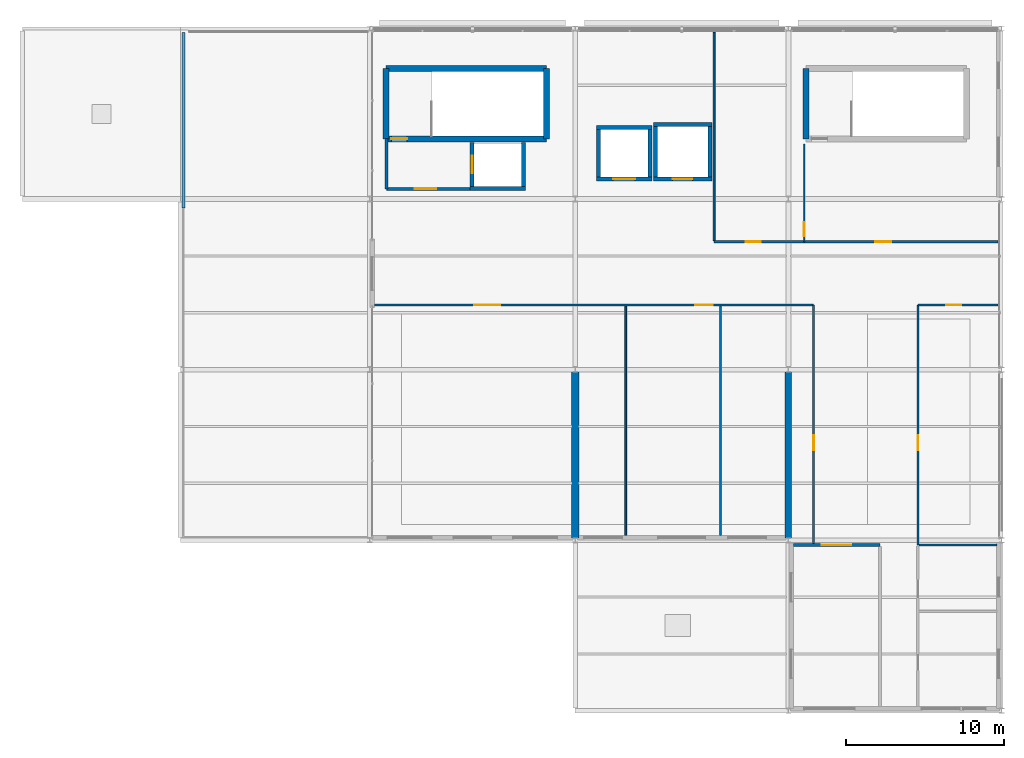
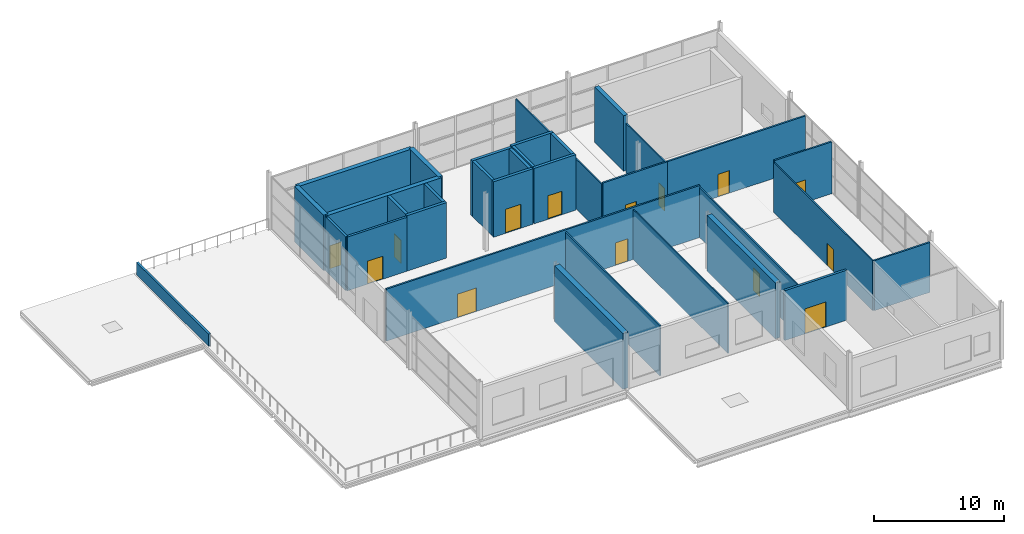
# One storey, part 32 of 34: 33 walls, 14 doors, 14 openings.
"""IFC4 building model written with IfcOpenShell, lengths in metres."""

from ifc_helpers import new_model, si_unit, direction, frame, frame_2d, origin, place, context, subcontext, project, spatial, rectangle, extrude, material, layer, layer_set, type_object, element, fill, save


model = new_model("IFC4")

# Units and contexts
model_context = context("Model", 3, precision=1e-05, world=origin(), true_north=direction((0.0, 1.0)))
body_context = subcontext(model_context, "Body", "Model", "MODEL_VIEW")
ifc_project = project(units=[si_unit("LENGTHUNIT", "METRE"), si_unit("AREAUNIT", "SQUARE_METRE"), si_unit("VOLUMEUNIT", "CUBIC_METRE"), si_unit("PLANEANGLEUNIT", "RADIAN"), si_unit("MASSUNIT", "GRAM", prefix="KILO")], contexts=[model_context])

# Site, building, storey
site_placement = place(None, origin())
site = spatial("IfcSite", under=ifc_project, at=site_placement, CompositionType="ELEMENT")
building_placement = place(site_placement, origin())
building = spatial("IfcBuilding", under=site, at=building_placement, Name="Tamarisk Ironworks Central Station", CompositionType="ELEMENT")
storey_placement = place(building_placement, frame((0.0, 0.0, 25.199951171875)))
storey = spatial("IfcBuildingStorey", under=building, at=storey_placement, Name="L05", CompositionType="ELEMENT", Elevation=25.199951171875)

# Wall, opening, door
ifc_material_1 = material(Name="Concrete C50/60", Category="concrete")
ifc_layer_1 = layer(ifc_material_1, 0.3798828125)
ifc_layer_set_1 = layer_set([ifc_layer_1], Name="Concrete C50/60")
wall_type_1 = type_object("IfcWallType", Name="WL-CW380", PredefinedType="SOLIDWALL", material=ifc_layer_set_1)
wall_1_placement = place(storey_placement, frame((141.014892578125, 115.4150390625, 0.0), z_axis=(0.0, 0.0, 1.0), x_axis=(1.0, 0.0, 0.0)))
wall_1 = element("IfcWall", 1, at=wall_1_placement, inside=storey, type_object=wall_type_1, Name="ST-C1 core wall L (L05)", PredefinedType="SOLIDWALL", context=body_context, shape_type="SweptSolid", body=[
    extrude(rectangle(XDim=10.170166015625, YDim=0.3798828125, at=frame_2d((5.0849609375, 0.0))), origin(), (0.0, 0.0, 1.0), 5.199951171875),
])
opening_1_placement = place(wall_1_placement, frame((0.35009765625, 0.0, 0.0048828125)))
opening_1 = element("IfcOpeningElement", 2, at=opening_1_placement, cuts=wall_1, Name="Opening FD07", PredefinedType="OPENING", context=body_context, shape_type="SweptSolid", body=[
    extrude(rectangle(XDim=1.0, YDim=2.14990234375, at=frame_2d((0.5, 1.074951171875))), frame((0.0, 0.201904296875, 0.0), z_axis=(0.0, -1.0, 0.0), x_axis=(1.0, 0.0, 0.0)), (0.0, 0.0, 1.0), 0.40380859375),
])
ifc_material_2 = material(Name="Galvanised hollow-metal door steel", Category="steel")
door_type_1 = type_object("IfcDoorType", Name="DR-FD07", OperationType="NOTDEFINED", PredefinedType="DOOR", material=ifc_material_2)
door_1_placement = place(opening_1_placement, origin())
door_1 = element("IfcDoor", 3, at=door_1_placement, inside=storey, type_object=door_type_1, Name="ST-C1 fire stair door (L05)", OperationType="SINGLE_SWING_RIGHT", OverallHeight=2.14990234375, OverallWidth=1.0, PredefinedType="DOOR", context=body_context, shape_type="SweptSolid", body=[
    extrude(rectangle(XDim=1.0, YDim=2.14990234375, at=frame_2d((0.5, 1.074951171875))), frame((0.0, 0.02490234375, 0.0), z_axis=(0.0, -1.0, 0.0), x_axis=(1.0, 0.0, 0.0)), (0.0, 0.0, 1.0), 0.050048828125),
])
fill(opening_1, door_1)

# Walls
wall_2_placement = place(storey_placement, frame((141.014892578125, 119.885009765625, 0.0), z_axis=(0.0, 0.0, 1.0), x_axis=(1.0, 0.0, 0.0)))
element("IfcWall", 4, at=wall_2_placement, inside=storey, type_object=wall_type_1, Name="ST-C1 core wall R (L05)", PredefinedType="SOLIDWALL", context=body_context, shape_type="SweptSolid", body=[
    extrude(rectangle(XDim=10.170166015625, YDim=0.3798828125, at=frame_2d((5.0849609375, 0.0))), origin(), (0.0, 0.0, 1.0), 5.199951171875),
])
for number, where, z_axis, x_axis, name in (
    (5, (141.014892578125, 115.4150390625, 0.0), (0.0, 0.0, 1.0), (0.0, 1.0, 0.0), "ST-C1 core wall N (L05)"),
    (6, (151.18505859375, 115.4150390625, 0.0), (0.0, 0.0, 1.0), (0.0, 1.0, 0.0), "ST-C1 core wall F (L05)"),
    (7, (167.614990234375, 115.4150390625, 0.0), (0.0, 0.0, 1.0), (0.0, 1.0, 0.0), "ST-C2 core wall N (L05)"),
):
    element("IfcWall", number, at=place(storey_placement, frame(where, z_axis=z_axis, x_axis=x_axis)), inside=storey, type_object=wall_type_1, Name=name, PredefinedType="SOLIDWALL", context=body_context, shape_type="SweptSolid", body=[
        extrude(rectangle(XDim=4.469970703125, YDim=0.3798828125, at=frame_2d((2.23486328125, 0.0))), origin(), (0.0, 0.0, 1.0), 5.199951171875),
    ])
ifc_material_3 = material(Name="Gypsum plasterboard acoustic partition")
ifc_layer_2 = layer(ifc_material_3, 0.10009765625)
ifc_layer_set_2 = layer_set([ifc_layer_2], Name="Gypsum plasterboard acoustic partition")
wall_type_2 = type_object("IfcWallType", Name="WL-MV100", PredefinedType="MOVABLE", material=ifc_layer_set_2)
wall_3_placement = place(storey_placement, frame((162.199951171875, 90.30810546875, 0.0), z_axis=(0.0, 0.0, 1.0), x_axis=(0.0, 1.0, 0.0)))
element("IfcWall", 8, at=wall_3_placement, inside=storey, type_object=wall_type_2, Name="L05 acoustic operable folding partition 06", PredefinedType="MOVABLE", context=body_context, shape_type="SweptSolid", body=[
    extrude(rectangle(XDim=14.518798828125, YDim=0.10009765625, at=frame_2d((7.25927734375, 0.0))), origin(), (0.0, 0.0, 1.0), 4.679931640625),
])
ifc_material_4 = material(Name="Precast concrete C45/55", Category="concrete")
ifc_layer_3 = layer(ifc_material_4, 0.179931640625)
ifc_layer_set_3 = layer_set([ifc_layer_3], Name="Precast concrete C45/55")
wall_type_3 = type_object("IfcWallType", Name="WL-PA180", PredefinedType="PARAPET", material=ifc_layer_set_3)
wall_4_placement = place(storey_placement, frame((128.199951171875, 111.050048828125, 0.0), z_axis=(0.0, 0.0, 1.0), x_axis=(0.0, 1.0, 0.0)))
element("IfcWall", 9, at=wall_4_placement, inside=storey, type_object=wall_type_3, Name="L05 terrace headhouse-roof divider parapet", PredefinedType="PARAPET", context=body_context, shape_type="SweptSolid", body=[
    extrude(rectangle(XDim=11.099853515625, YDim=0.179931640625, at=frame_2d((5.5498046875, 0.0))), origin(), (0.0, 0.0, 1.0), 1.150146484375),
])

# Wall, opening, door
ifc_material_5 = material(Name="Concrete C40/50", Category="concrete")
ifc_layer_4 = layer(ifc_material_5, 0.2099609375)
ifc_layer_set_4 = layer_set([ifc_layer_4], Name="Concrete C40/50")
wall_type_4 = type_object("IfcWallType", Name="WL-PL200", PredefinedType="PARTITIONING", material=ifc_layer_set_4)
wall_5_placement = place(storey_placement, frame((166.80810546875, 89.699951171875, 0.0), z_axis=(0.0, 0.0, 1.0), x_axis=(1.0, 0.0, 0.0)))
wall_5 = element("IfcWall", 10, at=wall_5_placement, inside=storey, type_object=wall_type_4, Name="L05 interior partition 0133", PredefinedType="PARTITIONING", context=body_context, shape_type="SweptSolid", body=[
    extrude(rectangle(XDim=5.491943359375, YDim=0.2099609375, at=frame_2d((2.74609375, 0.0))), origin(), (0.0, 0.0, 1.0), 4.679931640625),
])
opening_2_placement = place(wall_5_placement, frame((1.80810546875, 0.0, 0.0048828125)))
opening_2 = element("IfcOpeningElement", 11, at=opening_2_placement, cuts=wall_5, Name="Opening PD01", PredefinedType="OPENING", context=body_context, shape_type="SweptSolid", body=[
    extrude(rectangle(XDim=1.85009765625, YDim=2.35009765625, at=frame_2d((0.925048828125, 1.175048828125))), frame((0.0, 0.116943359375, 0.0), z_axis=(0.0, -1.0, 0.0), x_axis=(1.0, 0.0, 0.0)), (0.0, 0.0, 1.0), 0.23388671875),
])
door_type_2 = type_object("IfcDoorType", Name="DR-PL01", OperationType="NOTDEFINED", PredefinedType="DOOR", material=ifc_material_2)
door_2_placement = place(opening_2_placement, origin())
door_2 = element("IfcDoor", 12, at=door_2_placement, inside=storey, type_object=door_type_2, Name="L05 room door 0101", OperationType="DOUBLE_DOOR_SINGLE_SWING", OverallHeight=2.35009765625, OverallWidth=1.85009765625, PredefinedType="DOOR", context=body_context, shape_type="SweptSolid", body=[
    extrude(rectangle(XDim=1.85009765625, YDim=2.35009765625, at=frame_2d((0.925048828125, 1.175048828125))), frame((0.0, 0.02490234375, 0.0), z_axis=(0.0, -1.0, 0.0), x_axis=(1.0, 0.0, 0.0)), (0.0, 0.0, 1.0), 0.050048828125),
])
fill(opening_2, door_2)

# Wall
ifc_layer_5 = layer(ifc_material_3, 0.1201171875)
ifc_layer_set_5 = layer_set([ifc_layer_5], Name="Gypsum plasterboard acoustic partition")
wall_type_5 = type_object("IfcWallType", Name="WL-PT120", PredefinedType="PARTITIONING", material=ifc_layer_set_5)
wall_6_placement = place(storey_placement, frame((156.199951171875, 90.30810546875, 0.0), z_axis=(0.0, 0.0, 1.0), x_axis=(0.0, 1.0, 0.0)))
element("IfcWall", 13, at=wall_6_placement, inside=storey, type_object=wall_type_5, Name="L05 interior partition 0130", PredefinedType="PARTITIONING", context=body_context, shape_type="SweptSolid", body=[
    extrude(rectangle(XDim=14.518798828125, YDim=0.1201171875, at=frame_2d((7.25927734375, 0.0))), origin(), (0.0, 0.0, 1.0), 4.679931640625),
])

# Wall, opening, door
wall_7_placement = place(storey_placement, frame((168.10009765625, 89.699951171875, 0.0), z_axis=(0.0, 0.0, 1.0), x_axis=(0.0, 1.0, 0.0)))
wall_7 = element("IfcWall", 14, at=wall_7_placement, inside=storey, type_object=wall_type_5, Name="L05 interior partition 0131", PredefinedType="PARTITIONING", context=body_context, shape_type="SweptSolid", body=[
    extrude(rectangle(XDim=15.199951171875, YDim=0.1201171875, at=frame_2d((7.60009765625, 0.0))), origin(), (0.0, 0.0, 1.0), 4.679931640625),
])
opening_3_placement = place(wall_7_placement, frame((6.0, 0.0, 0.0048828125)))
opening_3 = element("IfcOpeningElement", 15, at=opening_3_placement, cuts=wall_7, Name="Opening D07", PredefinedType="OPENING", context=body_context, shape_type="SweptSolid", body=[
    extrude(rectangle(XDim=0.949951171875, YDim=2.10009765625, at=frame_2d((0.47509765625, 1.050048828125))), frame((0.0, 0.072021484375, 0.0), z_axis=(0.0, -1.0, 0.0), x_axis=(1.0, 0.0, 0.0)), (0.0, 0.0, 1.0), 0.14404296875),
])
ifc_material_6 = material(Name="FSC certified tropical hardwood timber", Category="wood")
door_type_3 = type_object("IfcDoorType", Name="DR-ID07", OperationType="NOTDEFINED", PredefinedType="DOOR", material=ifc_material_6)
door_3_placement = place(opening_3_placement, origin())
door_3 = element("IfcDoor", 16, at=door_3_placement, inside=storey, type_object=door_type_3, Name="L05 room door 0099", OperationType="SINGLE_SWING_LEFT", OverallHeight=2.10009765625, OverallWidth=0.949951171875, PredefinedType="DOOR", context=body_context, shape_type="SweptSolid", body=[
    extrude(rectangle(XDim=0.949951171875, YDim=2.10009765625, at=frame_2d((0.47509765625, 1.050048828125))), frame((0.0, 0.02490234375, 0.0), z_axis=(0.0, -1.0, 0.0), x_axis=(1.0, 0.0, 0.0)), (0.0, 0.0, 1.0), 0.050048828125),
])
fill(opening_3, door_3)

wall_8_placement = place(storey_placement, frame((174.699951171875, 89.699951171875, 0.0), z_axis=(0.0, 0.0, 1.0), x_axis=(0.0, 1.0, 0.0)))
wall_8 = element("IfcWall", 17, at=wall_8_placement, inside=storey, type_object=wall_type_5, Name="L05 interior partition 0132", PredefinedType="PARTITIONING", context=body_context, shape_type="SweptSolid", body=[
    extrude(rectangle(XDim=15.199951171875, YDim=0.1201171875, at=frame_2d((7.60009765625, 0.0))), origin(), (0.0, 0.0, 1.0), 4.679931640625),
])
opening_4_placement = place(wall_8_placement, frame((6.0, 0.0, 0.0048828125)))
opening_4 = element("IfcOpeningElement", 18, at=opening_4_placement, cuts=wall_8, Name="Opening D07", PredefinedType="OPENING", context=body_context, shape_type="SweptSolid", body=[
    extrude(rectangle(XDim=0.949951171875, YDim=2.10009765625, at=frame_2d((0.47509765625, 1.050048828125))), frame((0.0, 0.072021484375, 0.0), z_axis=(0.0, -1.0, 0.0), x_axis=(1.0, 0.0, 0.0)), (0.0, 0.0, 1.0), 0.14404296875),
])
door_4_placement = place(opening_4_placement, origin())
door_4 = element("IfcDoor", 19, at=door_4_placement, inside=storey, type_object=door_type_3, Name="L05 room door 0100", OperationType="SINGLE_SWING_RIGHT", OverallHeight=2.10009765625, OverallWidth=0.949951171875, PredefinedType="DOOR", context=body_context, shape_type="SweptSolid", body=[
    extrude(rectangle(XDim=0.949951171875, YDim=2.10009765625, at=frame_2d((0.47509765625, 1.050048828125))), frame((0.0, 0.02490234375, 0.0), z_axis=(0.0, -1.0, 0.0), x_axis=(1.0, 0.0, 0.0)), (0.0, 0.0, 1.0), 0.050048828125),
])
fill(opening_4, door_4)

wall_9_placement = place(storey_placement, frame((167.5, 108.89990234375, 0.0), z_axis=(0.0, 0.0, 1.0), x_axis=(0.0, 1.0, 0.0)))
wall_9 = element("IfcWall", 20, at=wall_9_placement, inside=storey, type_object=wall_type_5, Name="L05 interior partition 0140", PredefinedType="PARTITIONING", context=body_context, shape_type="SweptSolid", body=[
    extrude(rectangle(XDim=6.2001953125, YDim=0.1201171875, at=frame_2d((3.10009765625, 0.0))), origin(), (0.0, 0.0, 1.0), 4.679931640625),
])
opening_5_placement = place(wall_9_placement, frame((0.35009765625, 0.0, 0.0048828125)))
opening_5 = element("IfcOpeningElement", 21, at=opening_5_placement, cuts=wall_9, Name="Opening D08", PredefinedType="OPENING", context=body_context, shape_type="SweptSolid", body=[
    extrude(rectangle(XDim=0.89990234375, YDim=2.10009765625, at=frame_2d((0.449951171875, 1.050048828125))), frame((0.0, 0.072021484375, 0.0), z_axis=(0.0, -1.0, 0.0), x_axis=(1.0, 0.0, 0.0)), (0.0, 0.0, 1.0), 0.14404296875),
])
door_type_4 = type_object("IfcDoorType", Name="DR-ID08", OperationType="NOTDEFINED", PredefinedType="DOOR", material=ifc_material_6)
door_5_placement = place(opening_5_placement, origin())
door_5 = element("IfcDoor", 22, at=door_5_placement, inside=storey, type_object=door_type_4, Name="L05 room door 0106", OperationType="SINGLE_SWING_LEFT", OverallHeight=2.10009765625, OverallWidth=0.89990234375, PredefinedType="DOOR", context=body_context, shape_type="SweptSolid", body=[
    extrude(rectangle(XDim=0.89990234375, YDim=2.10009765625, at=frame_2d((0.449951171875, 1.050048828125))), frame((0.0, 0.02490234375, 0.0), z_axis=(0.0, -1.0, 0.0), x_axis=(1.0, 0.0, 0.0)), (0.0, 0.0, 1.0), 0.050048828125),
])
fill(opening_5, door_5)

# Wall
wall_10_placement = place(storey_placement, frame((161.800048828125, 108.972900390625, 0.0), z_axis=(0.0, 0.0, 1.0), x_axis=(0.0, 1.0, 0.0)))
element("IfcWall", 23, at=wall_10_placement, inside=storey, type_object=wall_type_5, Name="L05 interior partition 0141", PredefinedType="PARTITIONING", context=body_context, shape_type="SweptSolid", body=[
    extrude(rectangle(XDim=13.189208984375, YDim=0.1201171875, at=frame_2d((6.5947265625, 0.0))), origin(), (0.0, 0.0, 1.0), 4.679931640625),
])

# Wall, openings, doors
ifc_layer_6 = layer(ifc_material_3, 0.14990234375)
ifc_layer_set_6 = layer_set([ifc_layer_6], Name="Gypsum plasterboard acoustic partition")
wall_type_6 = type_object("IfcWallType", Name="WL-PT150", PredefinedType="PARTITIONING", material=ifc_layer_set_6)
wall_11_placement = place(storey_placement, frame((140.2880859375, 104.89990234375, 0.0), z_axis=(0.0, 0.0, 1.0), x_axis=(1.0, 0.0, 0.0)))
wall_11 = element("IfcWall", 24, at=wall_11_placement, inside=storey, type_object=wall_type_6, Name="L05 interior partition 0128", PredefinedType="PARTITIONING", context=body_context, shape_type="SweptSolid", body=[
    extrude(rectangle(XDim=27.81201171875, YDim=0.14990234375, at=frame_2d((13.906005859375, 0.0))), origin(), (0.0, 0.0, 1.0), 4.8701171875),
])
opening_6_placement = place(wall_11_placement, frame((6.31201171875, 0.0, 0.0048828125)))
opening_6 = element("IfcOpeningElement", 25, at=opening_6_placement, cuts=wall_11, Name="Opening D03", PredefinedType="OPENING", context=body_context, shape_type="SweptSolid", body=[
    extrude(rectangle(XDim=1.64990234375, YDim=2.199951171875, at=frame_2d((0.824951171875, 1.10009765625))), frame((0.0, 0.0869140625, 0.0), z_axis=(0.0, -1.0, 0.0), x_axis=(1.0, 0.0, 0.0)), (0.0, 0.0, 1.0), 0.173828125),
])
opening_7_placement = place(wall_11_placement, frame((20.31201171875, 0.0, 0.0048828125)))
opening_7 = element("IfcOpeningElement", 26, at=opening_7_placement, cuts=wall_11, Name="Opening D05", PredefinedType="OPENING", context=body_context, shape_type="SweptSolid", body=[
    extrude(rectangle(XDim=1.10009765625, YDim=2.10009765625, at=frame_2d((0.550048828125, 1.050048828125))), frame((0.0, 0.0869140625, 0.0), z_axis=(0.0, -1.0, 0.0), x_axis=(1.0, 0.0, 0.0)), (0.0, 0.0, 1.0), 0.173828125),
])
door_type_5 = type_object("IfcDoorType", Name="DR-ID03", OperationType="NOTDEFINED", PredefinedType="DOOR", material=ifc_material_6)
door_6_placement = place(opening_6_placement, origin())
door_6 = element("IfcDoor", 27, at=door_6_placement, inside=storey, type_object=door_type_5, Name="L05 room door 0096", OperationType="DOUBLE_DOOR_SINGLE_SWING", OverallHeight=2.199951171875, OverallWidth=1.64990234375, PredefinedType="DOOR", context=body_context, shape_type="SweptSolid", body=[
    extrude(rectangle(XDim=1.64990234375, YDim=2.199951171875, at=frame_2d((0.824951171875, 1.10009765625))), frame((0.0, 0.02490234375, 0.0), z_axis=(0.0, -1.0, 0.0), x_axis=(1.0, 0.0, 0.0)), (0.0, 0.0, 1.0), 0.050048828125),
])
fill(opening_6, door_6)
door_type_6 = type_object("IfcDoorType", Name="DR-ID05", OperationType="NOTDEFINED", PredefinedType="DOOR", material=ifc_material_6)
door_7_placement = place(opening_7_placement, origin())
door_7 = element("IfcDoor", 28, at=door_7_placement, inside=storey, type_object=door_type_6, Name="L05 room door 0097", OperationType="SINGLE_SWING_RIGHT", OverallHeight=2.10009765625, OverallWidth=1.10009765625, PredefinedType="DOOR", context=body_context, shape_type="SweptSolid", body=[
    extrude(rectangle(XDim=1.10009765625, YDim=2.10009765625, at=frame_2d((0.550048828125, 1.050048828125))), frame((0.0, 0.02490234375, 0.0), z_axis=(0.0, -1.0, 0.0), x_axis=(1.0, 0.0, 0.0)), (0.0, 0.0, 1.0), 0.050048828125),
])
fill(opening_7, door_7)

# Wall, opening, door
wall_12_placement = place(storey_placement, frame((174.699951171875, 104.89990234375, 0.0), z_axis=(0.0, 0.0, 1.0), x_axis=(1.0, 0.0, 0.0)))
wall_12 = element("IfcWall", 29, at=wall_12_placement, inside=storey, type_object=wall_type_6, Name="L05 interior partition 0129", PredefinedType="PARTITIONING", context=body_context, shape_type="SweptSolid", body=[
    extrude(rectangle(XDim=5.06201171875, YDim=0.14990234375, at=frame_2d((2.531005859375, 0.0))), origin(), (0.0, 0.0, 1.0), 4.8701171875),
])
opening_8_placement = place(wall_12_placement, frame((1.800048828125, 0.0, 0.0048828125)))
opening_8 = element("IfcOpeningElement", 30, at=opening_8_placement, cuts=wall_12, Name="Opening D07", PredefinedType="OPENING", context=body_context, shape_type="SweptSolid", body=[
    extrude(rectangle(XDim=0.949951171875, YDim=2.10009765625, at=frame_2d((0.47509765625, 1.050048828125))), frame((0.0, 0.0869140625, 0.0), z_axis=(0.0, -1.0, 0.0), x_axis=(1.0, 0.0, 0.0)), (0.0, 0.0, 1.0), 0.173828125),
])
door_8_placement = place(opening_8_placement, origin())
door_8 = element("IfcDoor", 31, at=door_8_placement, inside=storey, type_object=door_type_3, Name="L05 room door 0098", OperationType="SINGLE_SWING_LEFT", OverallHeight=2.10009765625, OverallWidth=0.949951171875, PredefinedType="DOOR", context=body_context, shape_type="SweptSolid", body=[
    extrude(rectangle(XDim=0.949951171875, YDim=2.10009765625, at=frame_2d((0.47509765625, 1.050048828125))), frame((0.0, 0.02490234375, 0.0), z_axis=(0.0, -1.0, 0.0), x_axis=(1.0, 0.0, 0.0)), (0.0, 0.0, 1.0), 0.050048828125),
])
fill(opening_8, door_8)

# Wall
wall_13_placement = place(storey_placement, frame((174.758056640625, 89.699951171875, 0.0), z_axis=(0.0, 0.0, 1.0), x_axis=(1.0, 0.0, 0.0)))
element("IfcWall", 32, at=wall_13_placement, inside=storey, type_object=wall_type_6, Name="L05 interior partition 0135", PredefinedType="PARTITIONING", context=body_context, shape_type="SweptSolid", body=[
    extrude(rectangle(XDim=4.933837890625, YDim=0.14990234375, at=frame_2d((2.466796875, 0.0))), origin(), (0.0, 0.0, 1.0), 4.679931640625),
])

# Wall, opening, door
wall_14_placement = place(storey_placement, frame((161.800048828125, 108.89990234375, 0.0), z_axis=(0.0, 0.0, 1.0), x_axis=(1.0, 0.0, 0.0)))
wall_14 = element("IfcWall", 33, at=wall_14_placement, inside=storey, type_object=wall_type_6, Name="L05 interior partition 0138", PredefinedType="PARTITIONING", context=body_context, shape_type="SweptSolid", body=[
    extrude(rectangle(XDim=5.699951171875, YDim=0.14990234375, at=frame_2d((2.85009765625, 0.0))), origin(), (0.0, 0.0, 1.0), 4.8701171875),
])
opening_9_placement = place(wall_14_placement, frame((2.0, 0.0, 0.0048828125)))
opening_9 = element("IfcOpeningElement", 34, at=opening_9_placement, cuts=wall_14, Name="Opening D07", PredefinedType="OPENING", context=body_context, shape_type="SweptSolid", body=[
    extrude(rectangle(XDim=0.949951171875, YDim=2.10009765625, at=frame_2d((0.47509765625, 1.050048828125))), frame((0.0, 0.0869140625, 0.0), z_axis=(0.0, -1.0, 0.0), x_axis=(1.0, 0.0, 0.0)), (0.0, 0.0, 1.0), 0.173828125),
])
door_9_placement = place(opening_9_placement, origin())
door_9 = element("IfcDoor", 35, at=door_9_placement, inside=storey, type_object=door_type_3, Name="L05 room door 0104", OperationType="SINGLE_SWING_LEFT", OverallHeight=2.10009765625, OverallWidth=0.949951171875, PredefinedType="DOOR", context=body_context, shape_type="SweptSolid", body=[
    extrude(rectangle(XDim=0.949951171875, YDim=2.10009765625, at=frame_2d((0.47509765625, 1.050048828125))), frame((0.0, 0.02490234375, 0.0), z_axis=(0.0, -1.0, 0.0), x_axis=(1.0, 0.0, 0.0)), (0.0, 0.0, 1.0), 0.050048828125),
])
fill(opening_9, door_9)

wall_15_placement = place(storey_placement, frame((167.5, 108.89990234375, 0.0), z_axis=(0.0, 0.0, 1.0), x_axis=(1.0, 0.0, 0.0)))
wall_15 = element("IfcWall", 36, at=wall_15_placement, inside=storey, type_object=wall_type_6, Name="L05 interior partition 0139", PredefinedType="PARTITIONING", context=body_context, shape_type="SweptSolid", body=[
    extrude(rectangle(XDim=12.261962890625, YDim=0.14990234375, at=frame_2d((6.130859375, 0.0))), origin(), (0.0, 0.0, 1.0), 4.8701171875),
])
opening_10_placement = place(wall_15_placement, frame((4.5, 0.0, 0.0048828125)))
opening_10 = element("IfcOpeningElement", 37, at=opening_10_placement, cuts=wall_15, Name="Opening D06", PredefinedType="OPENING", context=body_context, shape_type="SweptSolid", body=[
    extrude(rectangle(XDim=1.0, YDim=2.10009765625, at=frame_2d((0.5, 1.050048828125))), frame((0.0, 0.0869140625, 0.0), z_axis=(0.0, -1.0, 0.0), x_axis=(1.0, 0.0, 0.0)), (0.0, 0.0, 1.0), 0.173828125),
])
door_type_7 = type_object("IfcDoorType", Name="DR-ID06", OperationType="NOTDEFINED", PredefinedType="DOOR", material=ifc_material_6)
door_10_placement = place(opening_10_placement, origin())
door_10 = element("IfcDoor", 38, at=door_10_placement, inside=storey, type_object=door_type_7, Name="L05 room door 0105", OperationType="SINGLE_SWING_RIGHT", OverallHeight=2.10009765625, OverallWidth=1.0, PredefinedType="DOOR", context=body_context, shape_type="SweptSolid", body=[
    extrude(rectangle(XDim=1.0, YDim=2.10009765625, at=frame_2d((0.5, 1.050048828125))), frame((0.0, 0.02490234375, 0.0), z_axis=(0.0, -1.0, 0.0), x_axis=(1.0, 0.0, 0.0)), (0.0, 0.0, 1.0), 0.050048828125),
])
fill(opening_10, door_10)

ifc_material_7 = material(Name="Clay facing brickwork and mortar", Category="masonry")
ifc_layer_7 = layer(ifc_material_7, 0.199951171875)
ifc_layer_set_7 = layer_set([ifc_layer_7], Name="Clay facing brickwork and mortar")
wall_type_7 = type_object("IfcWallType", Name="WL-PT200", PredefinedType="PARTITIONING", material=ifc_layer_set_7)
wall_16_placement = place(storey_placement, frame((141.050048828125, 112.25, 0.0), z_axis=(0.0, 0.0, 1.0), x_axis=(1.0, 0.0, 0.0)))
wall_16 = element("IfcWall", 39, at=wall_16_placement, inside=storey, type_object=wall_type_7, Name="Firefighting lift lobby south wall (L05)", PredefinedType="PARTITIONING", context=body_context, shape_type="SweptSolid", body=[
    extrude(rectangle(XDim=5.300048828125, YDim=0.199951171875, at=frame_2d((2.64990234375, 0.0))), origin(), (0.0, 0.0, 1.0), 5.050048828125),
])
opening_11_placement = place(wall_16_placement, frame((1.800048828125, 0.0, 0.0048828125)))
opening_11 = element("IfcOpeningElement", 40, at=opening_11_placement, cuts=wall_16, Name="Opening FD05", PredefinedType="OPENING", context=body_context, shape_type="SweptSolid", body=[
    extrude(rectangle(XDim=1.35009765625, YDim=2.14990234375, at=frame_2d((0.675048828125, 1.074951171875))), frame((0.0, 0.11181640625, 0.0), z_axis=(0.0, -1.0, 0.0), x_axis=(1.0, 0.0, 0.0)), (0.0, 0.0, 1.0), 0.223876953125),
])
door_type_8 = type_object("IfcDoorType", Name="DR-FD05", OperationType="NOTDEFINED", PredefinedType="DOOR", material=ifc_material_2)
door_11_placement = place(opening_11_placement, origin())
door_11 = element("IfcDoor", 41, at=door_11_placement, inside=storey, type_object=door_type_8, Name="Firefighting lift lobby fire door (L05)", OperationType="SINGLE_SWING_RIGHT", OverallHeight=2.14990234375, OverallWidth=1.35009765625, PredefinedType="DOOR", context=body_context, shape_type="SweptSolid", body=[
    extrude(rectangle(XDim=1.35009765625, YDim=2.14990234375, at=frame_2d((0.675048828125, 1.074951171875))), frame((0.0, 0.02490234375, 0.0), z_axis=(0.0, -1.0, 0.0), x_axis=(1.0, 0.0, 0.0)), (0.0, 0.0, 1.0), 0.050048828125),
])
fill(opening_11, door_11)

# Walls
wall_17_placement = place(storey_placement, frame((141.050048828125, 112.25, 0.0), z_axis=(0.0, 0.0, 1.0), x_axis=(0.0, 1.0, 0.0)))
element("IfcWall", 42, at=wall_17_placement, inside=storey, type_object=wall_type_7, Name="Firefighting lift lobby west wall (L05)", PredefinedType="PARTITIONING", context=body_context, shape_type="SweptSolid", body=[
    extrude(rectangle(XDim=3.199951171875, YDim=0.199951171875, at=frame_2d((1.60009765625, 0.0))), origin(), (0.0, 0.0, 1.0), 5.050048828125),
])
ifc_layer_8 = layer(ifc_material_1, 0.25)
ifc_layer_set_8 = layer_set([ifc_layer_8], Name="Concrete C50/60")
wall_type_8 = type_object("IfcWallType", Name="WL-SH250", PredefinedType="SOLIDWALL", material=ifc_layer_set_8)
wall_18_placement = place(storey_placement, frame((146.35009765625, 112.27490234375, 0.0), z_axis=(0.0, 0.0, 1.0), x_axis=(1.0, 0.0, 0.0)))
element("IfcWall", 43, at=wall_18_placement, inside=storey, type_object=wall_type_8, Name="LF-FF1 lift shaft wall S (L05)", PredefinedType="SOLIDWALL", context=body_context, shape_type="SweptSolid", body=[
    extrude(rectangle(XDim=3.5, YDim=0.25, at=frame_2d((1.75, 0.0))), origin(), (0.0, 0.0, 1.0), 5.199951171875),
])

# Wall, opening, door
wall_19_placement = place(storey_placement, frame((146.47509765625, 112.39990234375, 0.0), z_axis=(0.0, 0.0, 1.0), x_axis=(0.0, 1.0, 0.0)))
wall_19 = element("IfcWall", 44, at=wall_19_placement, inside=storey, type_object=wall_type_8, Name="LF-FF1 lift shaft wall W (L05)", PredefinedType="SOLIDWALL", context=body_context, shape_type="SweptSolid", body=[
    extrude(rectangle(XDim=2.800048828125, YDim=0.25, at=frame_2d((1.39990234375, 0.0))), origin(), (0.0, 0.0, 1.0), 5.199951171875),
])
opening_12_placement = place(wall_19_placement, frame((0.85009765625, 0.0, 0.0048828125)))
opening_12 = element("IfcOpeningElement", 45, at=opening_12_placement, cuts=wall_19, Name="Opening LD03", PredefinedType="OPENING", context=body_context, shape_type="SweptSolid", body=[
    extrude(rectangle(XDim=1.10009765625, YDim=2.14990234375, at=frame_2d((0.550048828125, 1.074951171875))), frame((0.0, 0.136962890625, 0.0), z_axis=(0.0, -1.0, 0.0), x_axis=(1.0, 0.0, 0.0)), (0.0, 0.0, 1.0), 0.27392578125),
])
ifc_material_8 = material(Name="Brushed stainless steel AISI 316", Category="steel")
door_type_9 = type_object("IfcDoorType", Name="DR-LD03", OperationType="NOTDEFINED", PredefinedType="DOOR", material=ifc_material_8)
door_12_placement = place(opening_12_placement, origin())
door_12 = element("IfcDoor", 46, at=door_12_placement, inside=storey, type_object=door_type_9, Name="LF-FF1 sliding lift landing door (L05)", OperationType="SLIDING_TO_LEFT", OverallHeight=2.14990234375, OverallWidth=1.10009765625, PredefinedType="DOOR", context=body_context, shape_type="SweptSolid", body=[
    extrude(rectangle(XDim=1.10009765625, YDim=2.14990234375, at=frame_2d((0.550048828125, 1.074951171875))), frame((0.0, 0.02490234375, 0.0), z_axis=(0.0, -1.0, 0.0), x_axis=(1.0, 0.0, 0.0)), (0.0, 0.0, 1.0), 0.050048828125),
])
fill(opening_12, door_12)

# Wall
wall_20_placement = place(storey_placement, frame((149.72509765625, 112.39990234375, 0.0), z_axis=(0.0, 0.0, 1.0), x_axis=(0.0, 1.0, 0.0)))
element("IfcWall", 47, at=wall_20_placement, inside=storey, type_object=wall_type_8, Name="LF-FF1 lift shaft wall E (L05)", PredefinedType="SOLIDWALL", context=body_context, shape_type="SweptSolid", body=[
    extrude(rectangle(XDim=2.800048828125, YDim=0.25, at=frame_2d((1.39990234375, 0.0))), origin(), (0.0, 0.0, 1.0), 5.199951171875),
])

# Wall, opening, door
wall_21_placement = place(storey_placement, frame((154.35009765625, 112.875, 0.0), z_axis=(0.0, 0.0, 1.0), x_axis=(1.0, 0.0, 0.0)))
wall_21 = element("IfcWall", 48, at=wall_21_placement, inside=storey, type_object=wall_type_8, Name="LF-O1 lift shaft wall S (L05)", PredefinedType="SOLIDWALL", context=body_context, shape_type="SweptSolid", body=[
    extrude(rectangle(XDim=3.5, YDim=0.25, at=frame_2d((1.75, 0.0))), origin(), (0.0, 0.0, 1.0), 5.199951171875),
])
opening_13_placement = place(wall_21_placement, frame((1.050048828125, 0.0, 0.0048828125)))
opening_13 = element("IfcOpeningElement", 49, at=opening_13_placement, cuts=wall_21, Name="Opening LD01", PredefinedType="OPENING", context=body_context, shape_type="SweptSolid", body=[
    extrude(rectangle(XDim=1.39990234375, YDim=2.25, at=frame_2d((0.699951171875, 1.125))), frame((0.0, 0.136962890625, 0.0), z_axis=(0.0, -1.0, 0.0), x_axis=(1.0, 0.0, 0.0)), (0.0, 0.0, 1.0), 0.27392578125),
])
door_type_10 = type_object("IfcDoorType", Name="DR-LD01", OperationType="NOTDEFINED", PredefinedType="DOOR", material=ifc_material_8)
door_13_placement = place(opening_13_placement, origin())
door_13 = element("IfcDoor", 50, at=door_13_placement, inside=storey, type_object=door_type_10, Name="LF-O1 sliding lift landing door (L05)", OperationType="SLIDING_TO_LEFT", OverallHeight=2.25, OverallWidth=1.39990234375, PredefinedType="DOOR", context=body_context, shape_type="SweptSolid", body=[
    extrude(rectangle(XDim=1.39990234375, YDim=2.25, at=frame_2d((0.699951171875, 1.125))), frame((0.0, 0.02490234375, 0.0), z_axis=(0.0, -1.0, 0.0), x_axis=(1.0, 0.0, 0.0)), (0.0, 0.0, 1.0), 0.050048828125),
])
fill(opening_13, door_13)

# Walls
wall_22_placement = place(storey_placement, frame((154.35009765625, 116.125, 0.0), z_axis=(0.0, 0.0, 1.0), x_axis=(1.0, 0.0, 0.0)))
element("IfcWall", 51, at=wall_22_placement, inside=storey, type_object=wall_type_8, Name="LF-O1 lift shaft wall N (L05)", PredefinedType="SOLIDWALL", context=body_context, shape_type="SweptSolid", body=[
    extrude(rectangle(XDim=3.5, YDim=0.25, at=frame_2d((1.75, 0.0))), origin(), (0.0, 0.0, 1.0), 5.199951171875),
])
for number, where, z_axis, x_axis, name in (
    (52, (154.47509765625, 113.0, 0.0), (0.0, 0.0, 1.0), (0.0, 1.0, 0.0), "LF-O1 lift shaft wall W (L05)"),
    (53, (157.72509765625, 113.0, 0.0), (0.0, 0.0, 1.0), (0.0, 1.0, 0.0), "LF-O1 lift shaft wall E (L05)"),
):
    element("IfcWall", number, at=place(storey_placement, frame(where, z_axis=z_axis, x_axis=x_axis)), inside=storey, type_object=wall_type_8, Name=name, PredefinedType="SOLIDWALL", context=body_context, shape_type="SweptSolid", body=[
        extrude(rectangle(XDim=3.0, YDim=0.25, at=frame_2d((1.5, 0.0))), origin(), (0.0, 0.0, 1.0), 5.199951171875),
    ])

# Wall, opening, door
wall_23_placement = place(storey_placement, frame((157.949951171875, 112.875, 0.0), z_axis=(0.0, 0.0, 1.0), x_axis=(1.0, 0.0, 0.0)))
wall_23 = element("IfcWall", 54, at=wall_23_placement, inside=storey, type_object=wall_type_8, Name="LF-O2 lift shaft wall S (L05)", PredefinedType="SOLIDWALL", context=body_context, shape_type="SweptSolid", body=[
    extrude(rectangle(XDim=3.699951171875, YDim=0.25, at=frame_2d((1.85009765625, 0.0))), origin(), (0.0, 0.0, 1.0), 5.199951171875),
])
opening_14_placement = place(wall_23_placement, frame((1.22509765625, 0.0, 0.0048828125)))
opening_14 = element("IfcOpeningElement", 55, at=opening_14_placement, cuts=wall_23, Name="Opening LD02", PredefinedType="OPENING", context=body_context, shape_type="SweptSolid", body=[
    extrude(rectangle(XDim=1.25, YDim=2.199951171875, at=frame_2d((0.625, 1.10009765625))), frame((0.0, 0.136962890625, 0.0), z_axis=(0.0, -1.0, 0.0), x_axis=(1.0, 0.0, 0.0)), (0.0, 0.0, 1.0), 0.27392578125),
])
door_type_11 = type_object("IfcDoorType", Name="DR-LD02", OperationType="NOTDEFINED", PredefinedType="DOOR", material=ifc_material_8)
door_14_placement = place(opening_14_placement, origin())
door_14 = element("IfcDoor", 56, at=door_14_placement, inside=storey, type_object=door_type_11, Name="LF-O2 sliding lift landing door (L05)", OperationType="SLIDING_TO_LEFT", OverallHeight=2.199951171875, OverallWidth=1.25, PredefinedType="DOOR", context=body_context, shape_type="SweptSolid", body=[
    extrude(rectangle(XDim=1.25, YDim=2.199951171875, at=frame_2d((0.625, 1.10009765625))), frame((0.0, 0.02490234375, 0.0), z_axis=(0.0, -1.0, 0.0), x_axis=(1.0, 0.0, 0.0)), (0.0, 0.0, 1.0), 0.050048828125),
])
fill(opening_14, door_14)

# Walls
wall_24_placement = place(storey_placement, frame((157.949951171875, 116.324951171875, 0.0), z_axis=(0.0, 0.0, 1.0), x_axis=(1.0, 0.0, 0.0)))
element("IfcWall", 57, at=wall_24_placement, inside=storey, type_object=wall_type_8, Name="LF-O2 lift shaft wall N (L05)", PredefinedType="SOLIDWALL", context=body_context, shape_type="SweptSolid", body=[
    extrude(rectangle(XDim=3.699951171875, YDim=0.25, at=frame_2d((1.85009765625, 0.0))), origin(), (0.0, 0.0, 1.0), 5.199951171875),
])
for number, where, z_axis, x_axis, name in (
    (58, (158.074951171875, 113.0, 0.0), (0.0, 0.0, 1.0), (0.0, 1.0, 0.0), "LF-O2 lift shaft wall W (L05)"),
    (59, (161.52490234375, 113.0, 0.0), (0.0, 0.0, 1.0), (0.0, 1.0, 0.0), "LF-O2 lift shaft wall E (L05)"),
):
    element("IfcWall", number, at=place(storey_placement, frame(where, z_axis=z_axis, x_axis=x_axis)), inside=storey, type_object=wall_type_8, Name=name, PredefinedType="SOLIDWALL", context=body_context, shape_type="SweptSolid", body=[
        extrude(rectangle(XDim=3.199951171875, YDim=0.25, at=frame_2d((1.60009765625, 0.0))), origin(), (0.0, 0.0, 1.0), 5.199951171875),
    ])
ifc_layer_9 = layer(ifc_material_1, 0.419921875)
ifc_layer_set_9 = layer_set([ifc_layer_9], Name="Concrete C50/60")
wall_type_9 = type_object("IfcWallType", Name="WL-SW420", PredefinedType="SHEAR", material=ifc_layer_set_9)
wall_25_placement = place(storey_placement, frame((166.5, 90.157958984375, 0.0), z_axis=(0.0, 0.0, 1.0), x_axis=(0.0, 1.0, 0.0)))
element("IfcWall", 60, at=wall_25_placement, inside=storey, type_object=wall_type_9, Name="L05 lateral shear wall 18", PredefinedType="SHEAR", context=body_context, shape_type="SweptSolid", body=[
    extrude(rectangle(XDim=10.484130859375, YDim=0.419921875, at=frame_2d((5.2421875, 0.0))), origin(), (0.0, 0.0, 1.0), 5.239990234375),
])
ifc_layer_10 = layer(ifc_material_1, 0.4599609375)
ifc_layer_set_10 = layer_set([ifc_layer_10], Name="Concrete C50/60")
wall_type_10 = type_object("IfcWallType", Name="WL-SW460", PredefinedType="SHEAR", material=ifc_layer_set_10)
wall_26_placement = place(storey_placement, frame((153.0, 90.157958984375, 0.0), z_axis=(0.0, 0.0, 1.0), x_axis=(0.0, 1.0, 0.0)))
element("IfcWall", 61, at=wall_26_placement, inside=storey, type_object=wall_type_10, Name="L05 lateral shear wall 17", PredefinedType="SHEAR", context=body_context, shape_type="SweptSolid", body=[
    extrude(rectangle(XDim=10.484130859375, YDim=0.4599609375, at=frame_2d((5.2421875, 0.0))), origin(), (0.0, 0.0, 1.0), 5.239990234375),
])

save(model, "model.ifc")
